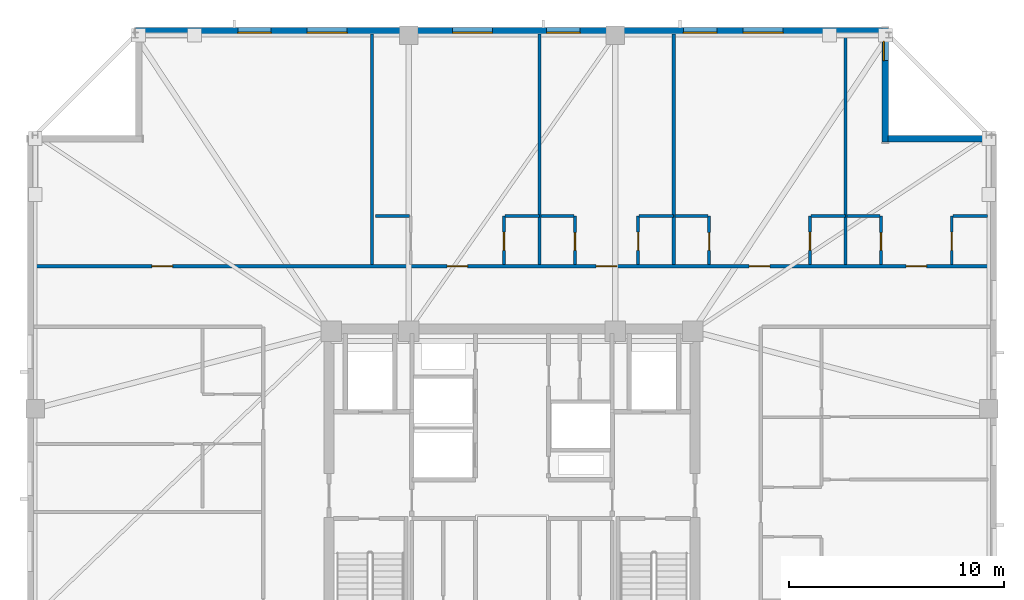
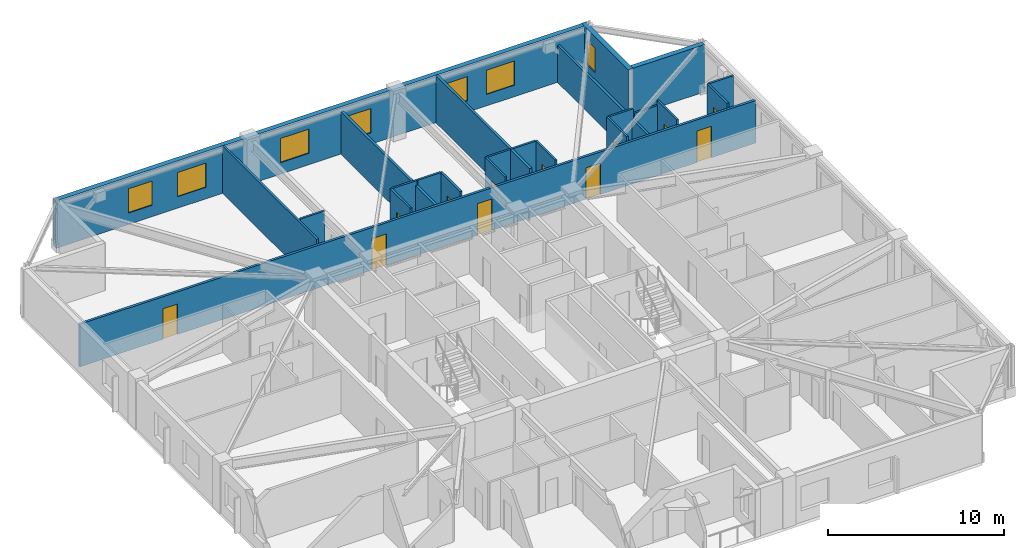
# One storey, part 11 of 17: 23 walls, 12 doors, 7 windows, 19 openings.
"""IFC4 building model written with IfcOpenShell, lengths in metres."""

from ifc_helpers import new_model, si_unit, direction, frame, frame_2d, origin, place, context, subcontext, project, spatial, rectangle, extrude, material, layer, layer_set, type_object, element, fill, save


model = new_model("IFC4")

# Units and contexts
model_context = context("Model", 3, precision=1e-05, world=origin(), true_north=direction((0.0, 1.0)))
body_context = subcontext(model_context, "Body", "Model", "MODEL_VIEW")
ifc_project = project(units=[si_unit("LENGTHUNIT", "METRE"), si_unit("AREAUNIT", "SQUARE_METRE"), si_unit("VOLUMEUNIT", "CUBIC_METRE"), si_unit("PLANEANGLEUNIT", "RADIAN"), si_unit("MASSUNIT", "GRAM", prefix="KILO")], contexts=[model_context])

# Site, building, storey
site_placement = place(None, origin())
site = spatial("IfcSite", under=ifc_project, at=site_placement, CompositionType="ELEMENT")
building_placement = place(site_placement, origin())
building = spatial("IfcBuilding", under=site, at=building_placement, Name="Cairnveth Concourse Tower", CompositionType="ELEMENT")
storey_placement = place(building_placement, frame((0.0, 0.0, 269.0)))
storey = spatial("IfcBuildingStorey", under=building, at=storey_placement, Name="L74", CompositionType="ELEMENT", Elevation=269.0)

# Wall, openings, doors
ifc_material_1 = material(Name="Gypsum Plasterboard Partition", Category="gypsum")
ifc_layer_1 = layer(ifc_material_1, 0.159912109375)
ifc_layer_set_1 = layer_set([ifc_layer_1], Name="Gypsum Plasterboard Partition")
wall_type_1 = type_object("IfcWallType", Name="ACOUSTIC PARTY WALL 180", PredefinedType="PARTITIONING", material=ifc_layer_set_1)
wall_1_placement = place(storey_placement, frame((29.804931640625, 50.422607421875, 0.0), z_axis=(0.0, 0.0, 1.0), x_axis=(1.0, 0.0, 0.0)))
wall_1 = element("IfcWall", 1, at=wall_1_placement, inside=storey, type_object=wall_type_1, Name="Interior Wall IW-L74-037", PredefinedType="PARTITIONING", context=body_context, shape_type="SweptSolid", body=[
    extrude(rectangle(XDim=44.39013671875, YDim=0.159912109375, at=frame_2d((22.195068359375, 0.0))), origin(), (0.0, 0.0, 1.0), 2.9580078125),
])
opening_1_placement = place(wall_1_placement, frame((5.465087890625, 0.0, 0.0)))
opening_1 = element("IfcOpeningElement", 2, at=opening_1_placement, cuts=wall_1, Name="Opening ID11", PredefinedType="OPENING", context=body_context, shape_type="SweptSolid", body=[
    extrude(rectangle(XDim=0.9599609375, YDim=2.1201171875, at=frame_2d((0.47998046875, 1.06005859375))), frame((0.0, 0.08984375, 0.0), z_axis=(0.0, -1.0, 0.0), x_axis=(1.0, 0.0, 0.0)), (0.0, 0.0, 1.0), 0.179931640625),
])
opening_2_placement = place(wall_1_placement, frame((19.1787109375, 0.0, 0.0)))
opening_2 = element("IfcOpeningElement", 3, at=opening_2_placement, cuts=wall_1, Name="Opening ID10", PredefinedType="OPENING", context=body_context, shape_type="SweptSolid", body=[
    extrude(rectangle(XDim=0.9599609375, YDim=2.179931640625, at=frame_2d((0.47998046875, 1.08984375))), frame((0.0, 0.08984375, 0.0), z_axis=(0.0, -1.0, 0.0), x_axis=(1.0, 0.0, 0.0)), (0.0, 0.0, 1.0), 0.179931640625),
])
opening_3_placement = place(wall_1_placement, frame((26.106201171875, 0.0, 0.0)))
opening_3 = element("IfcOpeningElement", 4, at=opening_3_placement, cuts=wall_1, Name="Opening ID10", PredefinedType="OPENING", context=body_context, shape_type="SweptSolid", body=[
    extrude(rectangle(XDim=0.9599609375, YDim=2.179931640625, at=frame_2d((0.47998046875, 1.08984375))), frame((0.0, 0.08984375, 0.0), z_axis=(0.0, -1.0, 0.0), x_axis=(1.0, 0.0, 0.0)), (0.0, 0.0, 1.0), 0.179931640625),
])
opening_4_placement = place(wall_1_placement, frame((33.2138671875, 0.0, 0.0)))
opening_4 = element("IfcOpeningElement", 5, at=opening_4_placement, cuts=wall_1, Name="Opening ID10", PredefinedType="OPENING", context=body_context, shape_type="SweptSolid", body=[
    extrude(rectangle(XDim=0.9599609375, YDim=2.179931640625, at=frame_2d((0.47998046875, 1.08984375))), frame((0.0, 0.08984375, 0.0), z_axis=(0.0, -1.0, 0.0), x_axis=(1.0, 0.0, 0.0)), (0.0, 0.0, 1.0), 0.179931640625),
])
opening_5_placement = place(wall_1_placement, frame((40.501220703125, 0.0, 0.0)))
opening_5 = element("IfcOpeningElement", 6, at=opening_5_placement, cuts=wall_1, Name="Opening ID10", PredefinedType="OPENING", context=body_context, shape_type="SweptSolid", body=[
    extrude(rectangle(XDim=0.9599609375, YDim=2.179931640625, at=frame_2d((0.47998046875, 1.08984375))), frame((0.0, 0.08984375, 0.0), z_axis=(0.0, -1.0, 0.0), x_axis=(1.0, 0.0, 0.0)), (0.0, 0.0, 1.0), 0.179931640625),
])
ifc_material_2 = material(Name="Solid Core Hardwood Timber Leaf", Category="wood")
door_type_1 = type_object("IfcDoorType", Name="FLAT ENTRANCE DOOR 960X2150", OperationType="NOTDEFINED", PredefinedType="DOOR", material=ifc_material_2)
door_1_placement = place(opening_2_placement, origin())
door_1 = element("IfcDoor", 7, at=door_1_placement, inside=storey, type_object=door_type_1, Name="Studio L74STN1 Entrance Door", OperationType="SINGLE_SWING_LEFT", OverallHeight=2.179931640625, OverallWidth=0.9599609375, PredefinedType="DOOR", context=body_context, shape_type="SweptSolid", body=[
    extrude(rectangle(XDim=0.9599609375, YDim=2.179931640625, at=frame_2d((0.47998046875, 1.08984375))), frame((0.0, 0.02490234375, 0.0), z_axis=(0.0, -1.0, 0.0), x_axis=(1.0, 0.0, 0.0)), (0.0, 0.0, 1.0), 0.050048828125),
])
fill(opening_2, door_1)
door_2_placement = place(opening_3_placement, origin())
door_2 = element("IfcDoor", 8, at=door_2_placement, inside=storey, type_object=door_type_1, Name="Studio L74STN2 Entrance Door", OperationType="SINGLE_SWING_RIGHT", OverallHeight=2.179931640625, OverallWidth=0.9599609375, PredefinedType="DOOR", context=body_context, shape_type="SweptSolid", body=[
    extrude(rectangle(XDim=0.9599609375, YDim=2.179931640625, at=frame_2d((0.47998046875, 1.08984375))), frame((0.0, 0.02490234375, 0.0), z_axis=(0.0, -1.0, 0.0), x_axis=(1.0, 0.0, 0.0)), (0.0, 0.0, 1.0), 0.050048828125),
])
fill(opening_3, door_2)
door_3_placement = place(opening_4_placement, origin())
door_3 = element("IfcDoor", 9, at=door_3_placement, inside=storey, type_object=door_type_1, Name="Studio L74STN3 Entrance Door", OperationType="SINGLE_SWING_LEFT", OverallHeight=2.179931640625, OverallWidth=0.9599609375, PredefinedType="DOOR", context=body_context, shape_type="SweptSolid", body=[
    extrude(rectangle(XDim=0.9599609375, YDim=2.179931640625, at=frame_2d((0.47998046875, 1.08984375))), frame((0.0, 0.02490234375, 0.0), z_axis=(0.0, -1.0, 0.0), x_axis=(1.0, 0.0, 0.0)), (0.0, 0.0, 1.0), 0.050048828125),
])
fill(opening_4, door_3)
door_4_placement = place(opening_5_placement, origin())
door_4 = element("IfcDoor", 10, at=door_4_placement, inside=storey, type_object=door_type_1, Name="Studio L74STN4 Entrance Door", OperationType="SINGLE_SWING_RIGHT", OverallHeight=2.179931640625, OverallWidth=0.9599609375, PredefinedType="DOOR", context=body_context, shape_type="SweptSolid", body=[
    extrude(rectangle(XDim=0.9599609375, YDim=2.179931640625, at=frame_2d((0.47998046875, 1.08984375))), frame((0.0, 0.02490234375, 0.0), z_axis=(0.0, -1.0, 0.0), x_axis=(1.0, 0.0, 0.0)), (0.0, 0.0, 1.0), 0.050048828125),
])
fill(opening_5, door_4)
door_type_2 = type_object("IfcDoorType", Name="INTERIOR SINGLE DOOR 960X2150", OperationType="NOTDEFINED", PredefinedType="DOOR", material=ifc_material_2)
door_5_placement = place(opening_1_placement, origin())
door_5 = element("IfcDoor", 11, at=door_5_placement, inside=storey, type_object=door_type_2, Name="Interior Door DR-L74-032", OperationType="SINGLE_SWING_RIGHT", OverallHeight=2.1201171875, OverallWidth=0.9599609375, PredefinedType="DOOR", context=body_context, shape_type="SweptSolid", body=[
    extrude(rectangle(XDim=0.9599609375, YDim=2.1201171875, at=frame_2d((0.47998046875, 1.06005859375))), frame((0.0, 0.02490234375, 0.0), z_axis=(0.0, -1.0, 0.0), x_axis=(1.0, 0.0, 0.0)), (0.0, 0.0, 1.0), 0.050048828125),
])
fill(opening_1, door_5)

# Walls
wall_2_placement = place(storey_placement, frame((53.277587890625, 50.50244140625, 0.0), z_axis=(0.0, 0.0, 1.0), x_axis=(0.0, 1.0, 0.0)))
element("IfcWall", 12, at=wall_2_placement, inside=storey, type_object=wall_type_1, Name="Interior Wall IW-L74-071", PredefinedType="PARTITIONING", context=body_context, shape_type="SweptSolid", body=[
    extrude(rectangle(XDim=10.692626953125, YDim=0.159912109375, at=frame_2d((5.34619140625, 0.0))), origin(), (0.0, 0.0, 1.0), 2.9580078125),
])
wall_3_placement = place(storey_placement, frame((59.5048828125, 50.50244140625, 0.0), z_axis=(0.0, 0.0, 1.0), x_axis=(0.0, 1.0, 0.0)))
element("IfcWall", 13, at=wall_3_placement, inside=storey, type_object=wall_type_1, Name="Interior Wall IW-L74-076", PredefinedType="PARTITIONING", context=body_context, shape_type="SweptSolid", body=[
    extrude(rectangle(XDim=10.692626953125, YDim=0.159912109375, at=frame_2d((5.34619140625, 0.0))), origin(), (0.0, 0.0, 1.0), 3.2900390625),
])
wall_4_placement = place(storey_placement, frame((67.492431640625, 50.50244140625, 0.0), z_axis=(0.0, 0.0, 1.0), x_axis=(0.0, 1.0, 0.0)))
element("IfcWall", 14, at=wall_4_placement, inside=storey, type_object=wall_type_1, Name="Interior Wall IW-L74-081", PredefinedType="PARTITIONING", context=body_context, shape_type="SweptSolid", body=[
    extrude(rectangle(XDim=10.692626953125, YDim=0.159912109375, at=frame_2d((5.34619140625, 0.0))), origin(), (0.0, 0.0, 1.0), 2.572998046875),
])
ifc_layer_2 = layer(ifc_material_1, 0.139892578125)
ifc_layer_set_2 = layer_set([ifc_layer_2], Name="Gypsum Plasterboard Partition")
wall_type_2 = type_object("IfcWallType", Name="GYPSUM STUD PARTITION 140", PredefinedType="PARTITIONING", material=ifc_layer_set_2)
wall_5_placement = place(storey_placement, frame((45.5, 50.487548828125, 0.0), z_axis=(0.0, 0.0, 1.0), x_axis=(0.0, 1.0, 0.0)))
element("IfcWall", 15, at=wall_5_placement, inside=storey, type_object=wall_type_2, Name="Interior Wall IW-L74-066", PredefinedType="PARTITIONING", context=body_context, shape_type="SweptSolid", body=[
    extrude(rectangle(XDim=10.70751953125, YDim=0.139892578125, at=frame_2d((5.353759765625, 0.0))), origin(), (0.0, 0.0, 1.0), 3.2900390625),
])
ifc_layer_3 = layer(ifc_material_1, 0.1298828125)
ifc_layer_set_3 = layer_set([ifc_layer_3], Name="Gypsum Plasterboard Partition")
wall_type_3 = type_object("IfcWallType", Name="WET AREA PARTITION 140", PredefinedType="PLUMBINGWALL", material=ifc_layer_set_3)
wall_6_placement = place(storey_placement, frame((45.64990234375, 52.75244140625, 0.0), z_axis=(0.0, 0.0, 1.0), x_axis=(1.0, 0.0, 0.0)))
element("IfcWall", 16, at=wall_6_placement, inside=storey, type_object=wall_type_3, Name="Interior Wall IW-L74-068", PredefinedType="PLUMBINGWALL", context=body_context, shape_type="SweptSolid", body=[
    extrude(rectangle(XDim=1.60009765625, YDim=0.1298828125, at=frame_2d((0.800048828125, 0.0))), origin(), (0.0, 0.0, 1.0), 3.2900390625),
])

# Wall, opening, door
wall_7_placement = place(storey_placement, frame((51.62744140625, 50.50244140625, 0.0), z_axis=(0.0, 0.0, 1.0), x_axis=(0.0, 1.0, 0.0)))
wall_7 = element("IfcWall", 17, at=wall_7_placement, inside=storey, type_object=wall_type_3, Name="Interior Wall IW-L74-069", PredefinedType="PLUMBINGWALL", context=body_context, shape_type="SweptSolid", body=[
    extrude(rectangle(XDim=2.25, YDim=0.1298828125, at=frame_2d((1.125, 0.0))), origin(), (0.0, 0.0, 1.0), 3.2900390625),
])
opening_6_placement = place(wall_7_placement, frame((0.64990234375, 0.0, 0.0)))
opening_6 = element("IfcOpeningElement", 18, at=opening_6_placement, cuts=wall_7, Name="Opening ID20", PredefinedType="OPENING", context=body_context, shape_type="SweptSolid", body=[
    extrude(rectangle(XDim=0.85009765625, YDim=2.10009765625, at=frame_2d((0.425048828125, 1.050048828125))), frame((0.0, 0.074951171875, 0.0), z_axis=(0.0, -1.0, 0.0), x_axis=(1.0, 0.0, 0.0)), (0.0, 0.0, 1.0), 0.14990234375),
])
door_type_3 = type_object("IfcDoorType", Name="INTERIOR SINGLE DOOR 850X2100", OperationType="NOTDEFINED", PredefinedType="DOOR", material=ifc_material_2)
door_6_placement = place(opening_6_placement, origin())
door_6 = element("IfcDoor", 19, at=door_6_placement, inside=storey, type_object=door_type_3, Name="L74STN1 Kitchen Door", OperationType="SINGLE_SWING_RIGHT", OverallHeight=2.10009765625, OverallWidth=0.85009765625, PredefinedType="DOOR", context=body_context, shape_type="SweptSolid", body=[
    extrude(rectangle(XDim=0.85009765625, YDim=2.10009765625, at=frame_2d((0.425048828125, 1.050048828125))), frame((0.0, 0.02490234375, 0.0), z_axis=(0.0, -1.0, 0.0), x_axis=(1.0, 0.0, 0.0)), (0.0, 0.0, 1.0), 0.050048828125),
])
fill(opening_6, door_6)

# Wall
wall_8_placement = place(storey_placement, frame((51.677490234375, 52.75244140625, 0.0), z_axis=(0.0, 0.0, 1.0), x_axis=(1.0, 0.0, 0.0)))
element("IfcWall", 20, at=wall_8_placement, inside=storey, type_object=wall_type_3, Name="Interior Wall IW-L74-070", PredefinedType="PLUMBINGWALL", context=body_context, shape_type="SweptSolid", body=[
    extrude(rectangle(XDim=1.60009765625, YDim=0.1298828125, at=frame_2d((0.800048828125, 0.0))), origin(), (0.0, 0.0, 1.0), 3.2900390625),
])

# Wall, opening, door
wall_9_placement = place(storey_placement, frame((54.927490234375, 50.50244140625, 0.0), z_axis=(0.0, 0.0, 1.0), x_axis=(0.0, 1.0, 0.0)))
wall_9 = element("IfcWall", 21, at=wall_9_placement, inside=storey, type_object=wall_type_3, Name="Interior Wall IW-L74-072", PredefinedType="PLUMBINGWALL", context=body_context, shape_type="SweptSolid", body=[
    extrude(rectangle(XDim=2.25, YDim=0.1298828125, at=frame_2d((1.125, 0.0))), origin(), (0.0, 0.0, 1.0), 3.2900390625),
])
opening_7_placement = place(wall_9_placement, frame((0.64990234375, 0.0, 0.0)))
opening_7 = element("IfcOpeningElement", 22, at=opening_7_placement, cuts=wall_9, Name="Opening ID22", PredefinedType="OPENING", context=body_context, shape_type="SweptSolid", body=[
    extrude(rectangle(XDim=0.820068359375, YDim=2.10009765625, at=frame_2d((0.41015625, 1.050048828125))), frame((0.0, 0.074951171875, 0.0), z_axis=(0.0, -1.0, 0.0), x_axis=(1.0, 0.0, 0.0)), (0.0, 0.0, 1.0), 0.14990234375),
])
door_type_4 = type_object("IfcDoorType", Name="INTERIOR WC DOOR 820X2100", OperationType="NOTDEFINED", PredefinedType="DOOR", material=ifc_material_2)
door_7_placement = place(opening_7_placement, origin())
door_7 = element("IfcDoor", 23, at=door_7_placement, inside=storey, type_object=door_type_4, Name="L74STN2 Bathroom Door", OperationType="SINGLE_SWING_RIGHT", OverallHeight=2.10009765625, OverallWidth=0.820068359375, PredefinedType="DOOR", context=body_context, shape_type="SweptSolid", body=[
    extrude(rectangle(XDim=0.820068359375, YDim=2.10009765625, at=frame_2d((0.41015625, 1.050048828125))), frame((0.0, 0.02490234375, 0.0), z_axis=(0.0, -1.0, 0.0), x_axis=(1.0, 0.0, 0.0)), (0.0, 0.0, 1.0), 0.050048828125),
])
fill(opening_7, door_7)

# Wall
wall_10_placement = place(storey_placement, frame((53.342529296875, 52.75244140625, 0.0), z_axis=(0.0, 0.0, 1.0), x_axis=(1.0, 0.0, 0.0)))
element("IfcWall", 24, at=wall_10_placement, inside=storey, type_object=wall_type_3, Name="Interior Wall IW-L74-073", PredefinedType="PLUMBINGWALL", context=body_context, shape_type="SweptSolid", body=[
    extrude(rectangle(XDim=1.534912109375, YDim=0.1298828125, at=frame_2d((0.767578125, 0.0))), origin(), (0.0, 0.0, 1.0), 3.2900390625),
])

# Wall, opening, door
wall_11_placement = place(storey_placement, frame((57.85498046875, 50.50244140625, 0.0), z_axis=(0.0, 0.0, 1.0), x_axis=(0.0, 1.0, 0.0)))
wall_11 = element("IfcWall", 25, at=wall_11_placement, inside=storey, type_object=wall_type_3, Name="Interior Wall IW-L74-074", PredefinedType="PLUMBINGWALL", context=body_context, shape_type="SweptSolid", body=[
    extrude(rectangle(XDim=2.25, YDim=0.1298828125, at=frame_2d((1.125, 0.0))), origin(), (0.0, 0.0, 1.0), 3.2900390625),
])
opening_8_placement = place(wall_11_placement, frame((0.64990234375, 0.0, 0.0)))
opening_8 = element("IfcOpeningElement", 26, at=opening_8_placement, cuts=wall_11, Name="Opening ID20", PredefinedType="OPENING", context=body_context, shape_type="SweptSolid", body=[
    extrude(rectangle(XDim=0.85009765625, YDim=2.10009765625, at=frame_2d((0.425048828125, 1.050048828125))), frame((0.0, 0.074951171875, 0.0), z_axis=(0.0, -1.0, 0.0), x_axis=(1.0, 0.0, 0.0)), (0.0, 0.0, 1.0), 0.14990234375),
])
door_8_placement = place(opening_8_placement, origin())
door_8 = element("IfcDoor", 27, at=door_8_placement, inside=storey, type_object=door_type_3, Name="L74STN2 Kitchen Door", OperationType="SINGLE_SWING_LEFT", OverallHeight=2.10009765625, OverallWidth=0.85009765625, PredefinedType="DOOR", context=body_context, shape_type="SweptSolid", body=[
    extrude(rectangle(XDim=0.85009765625, YDim=2.10009765625, at=frame_2d((0.425048828125, 1.050048828125))), frame((0.0, 0.02490234375, 0.0), z_axis=(0.0, -1.0, 0.0), x_axis=(1.0, 0.0, 0.0)), (0.0, 0.0, 1.0), 0.050048828125),
])
fill(opening_8, door_8)

# Wall
wall_12_placement = place(storey_placement, frame((57.905029296875, 52.75244140625, 0.0), z_axis=(0.0, 0.0, 1.0), x_axis=(1.0, 0.0, 0.0)))
element("IfcWall", 28, at=wall_12_placement, inside=storey, type_object=wall_type_3, Name="Interior Wall IW-L74-075", PredefinedType="PLUMBINGWALL", context=body_context, shape_type="SweptSolid", body=[
    extrude(rectangle(XDim=1.599853515625, YDim=0.1298828125, at=frame_2d((0.7998046875, 0.0))), origin(), (0.0, 0.0, 1.0), 3.2900390625),
])

# Wall, opening, door
wall_13_placement = place(storey_placement, frame((61.155029296875, 50.50244140625, 0.0), z_axis=(0.0, 0.0, 1.0), x_axis=(0.0, 1.0, 0.0)))
wall_13 = element("IfcWall", 29, at=wall_13_placement, inside=storey, type_object=wall_type_3, Name="Interior Wall IW-L74-077", PredefinedType="PLUMBINGWALL", context=body_context, shape_type="SweptSolid", body=[
    extrude(rectangle(XDim=2.25, YDim=0.1298828125, at=frame_2d((1.125, 0.0))), origin(), (0.0, 0.0, 1.0), 3.2900390625),
])
opening_9_placement = place(wall_13_placement, frame((0.64990234375, 0.0, 0.0)))
opening_9 = element("IfcOpeningElement", 30, at=opening_9_placement, cuts=wall_13, Name="Opening ID22", PredefinedType="OPENING", context=body_context, shape_type="SweptSolid", body=[
    extrude(rectangle(XDim=0.820068359375, YDim=2.10009765625, at=frame_2d((0.41015625, 1.050048828125))), frame((0.0, 0.074951171875, 0.0), z_axis=(0.0, -1.0, 0.0), x_axis=(1.0, 0.0, 0.0)), (0.0, 0.0, 1.0), 0.14990234375),
])
door_9_placement = place(opening_9_placement, origin())
door_9 = element("IfcDoor", 31, at=door_9_placement, inside=storey, type_object=door_type_4, Name="L74STN3 Bathroom Door", OperationType="SINGLE_SWING_LEFT", OverallHeight=2.10009765625, OverallWidth=0.820068359375, PredefinedType="DOOR", context=body_context, shape_type="SweptSolid", body=[
    extrude(rectangle(XDim=0.820068359375, YDim=2.10009765625, at=frame_2d((0.41015625, 1.050048828125))), frame((0.0, 0.02490234375, 0.0), z_axis=(0.0, -1.0, 0.0), x_axis=(1.0, 0.0, 0.0)), (0.0, 0.0, 1.0), 0.050048828125),
])
fill(opening_9, door_9)

# Wall
wall_14_placement = place(storey_placement, frame((59.570068359375, 52.75244140625, 0.0), z_axis=(0.0, 0.0, 1.0), x_axis=(1.0, 0.0, 0.0)))
element("IfcWall", 32, at=wall_14_placement, inside=storey, type_object=wall_type_3, Name="Interior Wall IW-L74-078", PredefinedType="PLUMBINGWALL", context=body_context, shape_type="SweptSolid", body=[
    extrude(rectangle(XDim=1.534912109375, YDim=0.1298828125, at=frame_2d((0.767578125, 0.0))), origin(), (0.0, 0.0, 1.0), 3.2900390625),
])

# Wall, opening, door
wall_15_placement = place(storey_placement, frame((65.842529296875, 50.50244140625, 0.0), z_axis=(0.0, 0.0, 1.0), x_axis=(0.0, 1.0, 0.0)))
wall_15 = element("IfcWall", 33, at=wall_15_placement, inside=storey, type_object=wall_type_3, Name="Interior Wall IW-L74-079", PredefinedType="PLUMBINGWALL", context=body_context, shape_type="SweptSolid", body=[
    extrude(rectangle(XDim=2.25, YDim=0.1298828125, at=frame_2d((1.125, 0.0))), origin(), (0.0, 0.0, 1.0), 3.2900390625),
])
opening_10_placement = place(wall_15_placement, frame((0.64990234375, 0.0, 0.0)))
opening_10 = element("IfcOpeningElement", 34, at=opening_10_placement, cuts=wall_15, Name="Opening ID20", PredefinedType="OPENING", context=body_context, shape_type="SweptSolid", body=[
    extrude(rectangle(XDim=0.85009765625, YDim=2.10009765625, at=frame_2d((0.425048828125, 1.050048828125))), frame((0.0, 0.074951171875, 0.0), z_axis=(0.0, -1.0, 0.0), x_axis=(1.0, 0.0, 0.0)), (0.0, 0.0, 1.0), 0.14990234375),
])
door_10_placement = place(opening_10_placement, origin())
door_10 = element("IfcDoor", 35, at=door_10_placement, inside=storey, type_object=door_type_3, Name="L74STN3 Kitchen Door", OperationType="SINGLE_SWING_RIGHT", OverallHeight=2.10009765625, OverallWidth=0.85009765625, PredefinedType="DOOR", context=body_context, shape_type="SweptSolid", body=[
    extrude(rectangle(XDim=0.85009765625, YDim=2.10009765625, at=frame_2d((0.425048828125, 1.050048828125))), frame((0.0, 0.02490234375, 0.0), z_axis=(0.0, -1.0, 0.0), x_axis=(1.0, 0.0, 0.0)), (0.0, 0.0, 1.0), 0.050048828125),
])
fill(opening_10, door_10)

# Wall
wall_16_placement = place(storey_placement, frame((65.892578125, 52.75244140625, 0.0), z_axis=(0.0, 0.0, 1.0), x_axis=(1.0, 0.0, 0.0)))
element("IfcWall", 36, at=wall_16_placement, inside=storey, type_object=wall_type_3, Name="Interior Wall IW-L74-080", PredefinedType="PLUMBINGWALL", context=body_context, shape_type="SweptSolid", body=[
    extrude(rectangle(XDim=1.599853515625, YDim=0.1298828125, at=frame_2d((0.7998046875, 0.0))), origin(), (0.0, 0.0, 1.0), 3.2900390625),
])

# Wall, opening, door
wall_17_placement = place(storey_placement, frame((69.142578125, 50.50244140625, 0.0), z_axis=(0.0, 0.0, 1.0), x_axis=(0.0, 1.0, 0.0)))
wall_17 = element("IfcWall", 37, at=wall_17_placement, inside=storey, type_object=wall_type_3, Name="Interior Wall IW-L74-082", PredefinedType="PLUMBINGWALL", context=body_context, shape_type="SweptSolid", body=[
    extrude(rectangle(XDim=2.25, YDim=0.1298828125, at=frame_2d((1.125, 0.0))), origin(), (0.0, 0.0, 1.0), 3.2900390625),
])
opening_11_placement = place(wall_17_placement, frame((0.64990234375, 0.0, 0.0)))
opening_11 = element("IfcOpeningElement", 38, at=opening_11_placement, cuts=wall_17, Name="Opening ID22", PredefinedType="OPENING", context=body_context, shape_type="SweptSolid", body=[
    extrude(rectangle(XDim=0.820068359375, YDim=2.10009765625, at=frame_2d((0.41015625, 1.050048828125))), frame((0.0, 0.074951171875, 0.0), z_axis=(0.0, -1.0, 0.0), x_axis=(1.0, 0.0, 0.0)), (0.0, 0.0, 1.0), 0.14990234375),
])
door_11_placement = place(opening_11_placement, origin())
door_11 = element("IfcDoor", 39, at=door_11_placement, inside=storey, type_object=door_type_4, Name="L74STN4 Bathroom Door", OperationType="SINGLE_SWING_RIGHT", OverallHeight=2.10009765625, OverallWidth=0.820068359375, PredefinedType="DOOR", context=body_context, shape_type="SweptSolid", body=[
    extrude(rectangle(XDim=0.820068359375, YDim=2.10009765625, at=frame_2d((0.41015625, 1.050048828125))), frame((0.0, 0.02490234375, 0.0), z_axis=(0.0, -1.0, 0.0), x_axis=(1.0, 0.0, 0.0)), (0.0, 0.0, 1.0), 0.050048828125),
])
fill(opening_11, door_11)

# Wall
wall_18_placement = place(storey_placement, frame((67.5576171875, 52.75244140625, 0.0), z_axis=(0.0, 0.0, 1.0), x_axis=(1.0, 0.0, 0.0)))
element("IfcWall", 40, at=wall_18_placement, inside=storey, type_object=wall_type_3, Name="Interior Wall IW-L74-083", PredefinedType="PLUMBINGWALL", context=body_context, shape_type="SweptSolid", body=[
    extrude(rectangle(XDim=1.534912109375, YDim=0.1298828125, at=frame_2d((0.767578125, 0.0))), origin(), (0.0, 0.0, 1.0), 2.9580078125),
])

# Wall, opening, door
wall_19_placement = place(storey_placement, frame((72.429931640625, 50.50244140625, 0.0), z_axis=(0.0, 0.0, 1.0), x_axis=(0.0, 1.0, 0.0)))
wall_19 = element("IfcWall", 41, at=wall_19_placement, inside=storey, type_object=wall_type_3, Name="Interior Wall IW-L74-084", PredefinedType="PLUMBINGWALL", context=body_context, shape_type="SweptSolid", body=[
    extrude(rectangle(XDim=2.25, YDim=0.1298828125, at=frame_2d((1.125, 0.0))), origin(), (0.0, 0.0, 1.0), 3.2900390625),
])
opening_12_placement = place(wall_19_placement, frame((0.64990234375, 0.0, 0.0)))
opening_12 = element("IfcOpeningElement", 42, at=opening_12_placement, cuts=wall_19, Name="Opening ID20", PredefinedType="OPENING", context=body_context, shape_type="SweptSolid", body=[
    extrude(rectangle(XDim=0.85009765625, YDim=2.10009765625, at=frame_2d((0.425048828125, 1.050048828125))), frame((0.0, 0.074951171875, 0.0), z_axis=(0.0, -1.0, 0.0), x_axis=(1.0, 0.0, 0.0)), (0.0, 0.0, 1.0), 0.14990234375),
])
door_12_placement = place(opening_12_placement, origin())
door_12 = element("IfcDoor", 43, at=door_12_placement, inside=storey, type_object=door_type_3, Name="L74STN4 Kitchen Door", OperationType="SINGLE_SWING_LEFT", OverallHeight=2.10009765625, OverallWidth=0.85009765625, PredefinedType="DOOR", context=body_context, shape_type="SweptSolid", body=[
    extrude(rectangle(XDim=0.85009765625, YDim=2.10009765625, at=frame_2d((0.425048828125, 1.050048828125))), frame((0.0, 0.02490234375, 0.0), z_axis=(0.0, -1.0, 0.0), x_axis=(1.0, 0.0, 0.0)), (0.0, 0.0, 1.0), 0.050048828125),
])
fill(opening_12, door_12)

# Wall
wall_20_placement = place(storey_placement, frame((72.47998046875, 52.75244140625, 0.0), z_axis=(0.0, 0.0, 1.0), x_axis=(1.0, 0.0, 0.0)))
element("IfcWall", 44, at=wall_20_placement, inside=storey, type_object=wall_type_3, Name="Interior Wall IW-L74-085", PredefinedType="PLUMBINGWALL", context=body_context, shape_type="SweptSolid", body=[
    extrude(rectangle(XDim=1.60009765625, YDim=0.1298828125, at=frame_2d((0.800048828125, 0.0))), origin(), (0.0, 0.0, 1.0), 3.2900390625),
])

# Wall, openings, windows
ifc_material_3 = material(Name="Melbourne Buff Fired Clay Brick Masonry", Category="masonry")
ifc_layer_4 = layer(ifc_material_3, 0.320068359375)
ifc_layer_set_4 = layer_set([ifc_layer_4], Name="Melbourne Buff Fired Clay Brick Masonry")
wall_type_4 = type_object("IfcWallType", Name="ZONE 3 BRICK PIER SPANDREL WALL 320", PredefinedType="SOLIDWALL", material=ifc_layer_set_4)
wall_21_placement = place(storey_placement, frame((34.5, 61.340087890625, 0.0), z_axis=(0.0, 0.0, 1.0), x_axis=(1.0, 0.0, 0.0)))
wall_21 = element("IfcWall", 45, at=wall_21_placement, inside=storey, type_object=wall_type_4, Name="Exterior Wall EW-L74-S06", PredefinedType="SOLIDWALL", context=body_context, shape_type="SweptSolid", body=[
    extrude(rectangle(XDim=34.701904296875, YDim=0.320068359375, at=frame_2d((17.35107421875, 0.0))), origin(), (0.0, 0.0, 1.0), 3.2900390625),
])
opening_13_placement = place(wall_21_placement, frame((4.7626953125, 0.0, 0.800048828125)))
opening_13 = element("IfcOpeningElement", 46, at=opening_13_placement, cuts=wall_21, Name="Opening W07", PredefinedType="OPENING", context=body_context, shape_type="SweptSolid", body=[
    extrude(rectangle(XDim=1.550048828125, YDim=1.677978515625, at=frame_2d((0.77490234375, 0.8388671875))), frame((0.0, 0.169921875, 0.0), z_axis=(0.0, -1.0, 0.0), x_axis=(1.0, 0.0, 0.0)), (0.0, 0.0, 1.0), 0.340087890625),
])
opening_14_placement = place(wall_21_placement, frame((7.98779296875, 0.0, 0.800048828125)))
opening_14 = element("IfcOpeningElement", 47, at=opening_14_placement, cuts=wall_21, Name="Opening W08", PredefinedType="OPENING", context=body_context, shape_type="SweptSolid", body=[
    extrude(rectangle(XDim=1.85009765625, YDim=1.677978515625, at=frame_2d((0.925048828125, 0.8388671875))), frame((0.0, 0.169921875, 0.0), z_axis=(0.0, -1.0, 0.0), x_axis=(1.0, 0.0, 0.0)), (0.0, 0.0, 1.0), 0.340087890625),
])
opening_15_placement = place(wall_21_placement, frame((14.73828125, 0.0, 0.800048828125)))
opening_15 = element("IfcOpeningElement", 48, at=opening_15_placement, cuts=wall_21, Name="Opening W08", PredefinedType="OPENING", context=body_context, shape_type="SweptSolid", body=[
    extrude(rectangle(XDim=1.85009765625, YDim=1.677978515625, at=frame_2d((0.925048828125, 0.8388671875))), frame((0.0, 0.169921875, 0.0), z_axis=(0.0, -1.0, 0.0), x_axis=(1.0, 0.0, 0.0)), (0.0, 0.0, 1.0), 0.340087890625),
])
opening_16_placement = place(wall_21_placement, frame((19.113525390625, 0.0, 0.800048828125)))
opening_16 = element("IfcOpeningElement", 49, at=opening_16_placement, cuts=wall_21, Name="Opening W07", PredefinedType="OPENING", context=body_context, shape_type="SweptSolid", body=[
    extrude(rectangle(XDim=1.550048828125, YDim=1.677978515625, at=frame_2d((0.77490234375, 0.8388671875))), frame((0.0, 0.169921875, 0.0), z_axis=(0.0, -1.0, 0.0), x_axis=(1.0, 0.0, 0.0)), (0.0, 0.0, 1.0), 0.340087890625),
])
opening_17_placement = place(wall_21_placement, frame((25.464111328125, 0.0, 0.800048828125)))
opening_17 = element("IfcOpeningElement", 50, at=opening_17_placement, cuts=wall_21, Name="Opening W07", PredefinedType="OPENING", context=body_context, shape_type="SweptSolid", body=[
    extrude(rectangle(XDim=1.550048828125, YDim=1.677978515625, at=frame_2d((0.77490234375, 0.8388671875))), frame((0.0, 0.169921875, 0.0), z_axis=(0.0, -1.0, 0.0), x_axis=(1.0, 0.0, 0.0)), (0.0, 0.0, 1.0), 0.340087890625),
])
opening_18_placement = place(wall_21_placement, frame((28.239501953125, 0.0, 0.800048828125)))
opening_18 = element("IfcOpeningElement", 51, at=opening_18_placement, cuts=wall_21, Name="Opening W08", PredefinedType="OPENING", context=body_context, shape_type="SweptSolid", body=[
    extrude(rectangle(XDim=1.85009765625, YDim=1.677978515625, at=frame_2d((0.925048828125, 0.8388671875))), frame((0.0, 0.169921875, 0.0), z_axis=(0.0, -1.0, 0.0), x_axis=(1.0, 0.0, 0.0)), (0.0, 0.0, 1.0), 0.340087890625),
])
ifc_material_4 = material(Name="Double Glazed Low-E Clear Glass", Category="glass")
window_type_1 = type_object("IfcWindowType", Name="DEEP-SET APARTMENT LIVING WINDOW 1850X1850", PartitioningType="DOUBLE_PANEL_VERTICAL", PredefinedType="WINDOW", material=ifc_material_4)
window_1_placement = place(opening_14_placement, origin())
window_1 = element("IfcWindow", 52, at=window_1_placement, inside=storey, type_object=window_type_1, Name="Gothic Lancet Window L74-6-2", OverallHeight=1.677978515625, OverallWidth=1.85009765625, PartitioningType="SINGLE_PANEL", PredefinedType="WINDOW", context=body_context, shape_type="SweptSolid", body=[
    extrude(rectangle(XDim=1.85009765625, YDim=1.677978515625, at=frame_2d((0.925048828125, 0.8388671875))), frame((0.0, -0.050048828125, 0.0), z_axis=(0.0, -1.0, 0.0), x_axis=(1.0, 0.0, 0.0)), (0.0, 0.0, 1.0), 0.06005859375),
])
fill(opening_14, window_1)
window_2_placement = place(opening_15_placement, origin())
window_2 = element("IfcWindow", 53, at=window_2_placement, inside=storey, type_object=window_type_1, Name="Gothic Lancet Window L74-6-4", OverallHeight=1.677978515625, OverallWidth=1.85009765625, PartitioningType="SINGLE_PANEL", PredefinedType="WINDOW", context=body_context, shape_type="SweptSolid", body=[
    extrude(rectangle(XDim=1.85009765625, YDim=1.677978515625, at=frame_2d((0.925048828125, 0.8388671875))), frame((0.0, -0.050048828125, 0.0), z_axis=(0.0, -1.0, 0.0), x_axis=(1.0, 0.0, 0.0)), (0.0, 0.0, 1.0), 0.06005859375),
])
fill(opening_15, window_2)
window_3_placement = place(opening_18_placement, origin())
window_3 = element("IfcWindow", 54, at=window_3_placement, inside=storey, type_object=window_type_1, Name="Gothic Lancet Window L74-6-8", OverallHeight=1.677978515625, OverallWidth=1.85009765625, PartitioningType="SINGLE_PANEL", PredefinedType="WINDOW", context=body_context, shape_type="SweptSolid", body=[
    extrude(rectangle(XDim=1.85009765625, YDim=1.677978515625, at=frame_2d((0.925048828125, 0.8388671875))), frame((0.0, -0.050048828125, 0.0), z_axis=(0.0, -1.0, 0.0), x_axis=(1.0, 0.0, 0.0)), (0.0, 0.0, 1.0), 0.06005859375),
])
fill(opening_18, window_3)
window_type_2 = type_object("IfcWindowType", Name="DEEP-SET APARTMENT WINDOW 1550X1800", PartitioningType="DOUBLE_PANEL_VERTICAL", PredefinedType="WINDOW", material=ifc_material_4)
window_4_placement = place(opening_13_placement, origin())
window_4 = element("IfcWindow", 55, at=window_4_placement, inside=storey, type_object=window_type_2, Name="Gothic Lancet Window L74-6-1", OverallHeight=1.677978515625, OverallWidth=1.550048828125, PartitioningType="SINGLE_PANEL", PredefinedType="WINDOW", context=body_context, shape_type="SweptSolid", body=[
    extrude(rectangle(XDim=1.550048828125, YDim=1.677978515625, at=frame_2d((0.77490234375, 0.8388671875))), frame((0.0, -0.050048828125, 0.0), z_axis=(0.0, -1.0, 0.0), x_axis=(1.0, 0.0, 0.0)), (0.0, 0.0, 1.0), 0.06005859375),
])
fill(opening_13, window_4)
window_5_placement = place(opening_16_placement, origin())
window_5 = element("IfcWindow", 56, at=window_5_placement, inside=storey, type_object=window_type_2, Name="Gothic Lancet Window L74-6-5", OverallHeight=1.677978515625, OverallWidth=1.550048828125, PartitioningType="SINGLE_PANEL", PredefinedType="WINDOW", context=body_context, shape_type="SweptSolid", body=[
    extrude(rectangle(XDim=1.550048828125, YDim=1.677978515625, at=frame_2d((0.77490234375, 0.8388671875))), frame((0.0, -0.050048828125, 0.0), z_axis=(0.0, -1.0, 0.0), x_axis=(1.0, 0.0, 0.0)), (0.0, 0.0, 1.0), 0.06005859375),
])
fill(opening_16, window_5)
window_6_placement = place(opening_17_placement, origin())
window_6 = element("IfcWindow", 57, at=window_6_placement, inside=storey, type_object=window_type_2, Name="Gothic Lancet Window L74-6-7", OverallHeight=1.677978515625, OverallWidth=1.550048828125, PartitioningType="SINGLE_PANEL", PredefinedType="WINDOW", context=body_context, shape_type="SweptSolid", body=[
    extrude(rectangle(XDim=1.550048828125, YDim=1.677978515625, at=frame_2d((0.77490234375, 0.8388671875))), frame((0.0, -0.050048828125, 0.0), z_axis=(0.0, -1.0, 0.0), x_axis=(1.0, 0.0, 0.0)), (0.0, 0.0, 1.0), 0.06005859375),
])
fill(opening_17, window_6)

# Wall, opening, window
wall_22_placement = place(storey_placement, frame((69.340087890625, 61.5, 0.0), z_axis=(0.0, 0.0, 1.0), x_axis=(0.0, -1.0, 0.0)))
wall_22 = element("IfcWall", 58, at=wall_22_placement, inside=storey, type_object=wall_type_4, Name="Exterior Wall EW-L74-S07", PredefinedType="SOLIDWALL", context=body_context, shape_type="SweptSolid", body=[
    extrude(rectangle(XDim=5.320068359375, YDim=0.320068359375, at=frame_2d((2.66015625, 0.0))), origin(), (0.0, 0.0, 1.0), 3.2900390625),
])
opening_19_placement = place(wall_22_placement, frame((0.6298828125, 0.0, 0.800048828125)))
opening_19 = element("IfcOpeningElement", 59, at=opening_19_placement, cuts=wall_22, Name="Opening W13", PredefinedType="OPENING", context=body_context, shape_type="SweptSolid", body=[
    extrude(rectangle(XDim=0.89990234375, YDim=1.677978515625, at=frame_2d((0.449951171875, 0.8388671875))), frame((0.0, 0.169921875, 0.0), z_axis=(0.0, -1.0, 0.0), x_axis=(1.0, 0.0, 0.0)), (0.0, 0.0, 1.0), 0.340087890625),
])
window_type_3 = type_object("IfcWindowType", Name="DEEP-SET BEDROOM LANCET WINDOW 900X1750", PartitioningType="DOUBLE_PANEL_VERTICAL", PredefinedType="WINDOW", material=ifc_material_4)
window_7_placement = place(opening_19_placement, origin())
window_7 = element("IfcWindow", 60, at=window_7_placement, inside=storey, type_object=window_type_3, Name="Dwelling Lancet Window L74-DW4", OverallHeight=1.677978515625, OverallWidth=0.89990234375, PartitioningType="SINGLE_PANEL", PredefinedType="WINDOW", context=body_context, shape_type="SweptSolid", body=[
    extrude(rectangle(XDim=0.89990234375, YDim=1.677978515625, at=frame_2d((0.449951171875, 0.8388671875))), frame((0.0, -0.0400390625, 0.0), z_axis=(0.0, -1.0, 0.0), x_axis=(1.0, 0.0, 0.0)), (0.0, 0.0, 1.0), 0.06005859375),
])
fill(opening_19, window_7)

# Wall
wall_23_placement = place(storey_placement, frame((69.47802734375, 56.340087890625, 0.0), z_axis=(0.0, 0.0, 1.0), x_axis=(1.0, 0.0, 0.0)))
element("IfcWall", 61, at=wall_23_placement, inside=storey, type_object=wall_type_4, Name="Exterior Wall EW-L74-S08", PredefinedType="SOLIDWALL", context=body_context, shape_type="SweptSolid", body=[
    extrude(rectangle(XDim=4.723876953125, YDim=0.320068359375, at=frame_2d((2.36181640625, 0.0))), origin(), (0.0, 0.0, 1.0), 3.2900390625),
])

save(model, "model.ifc")
